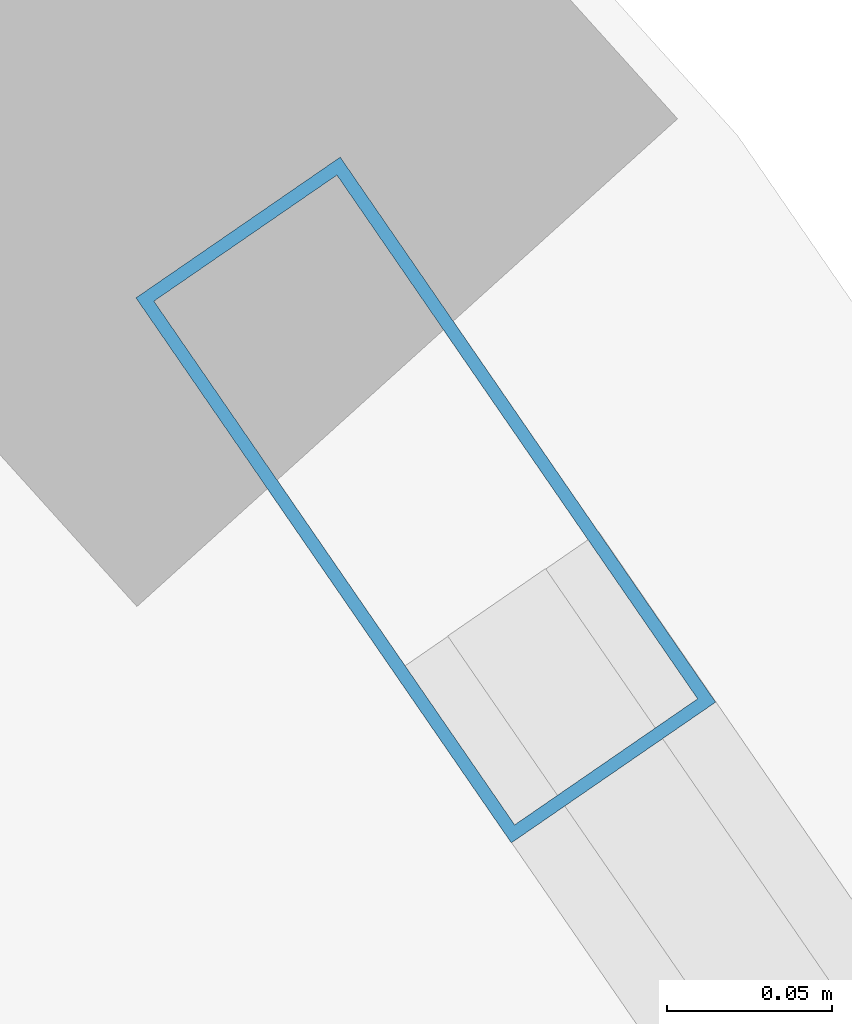
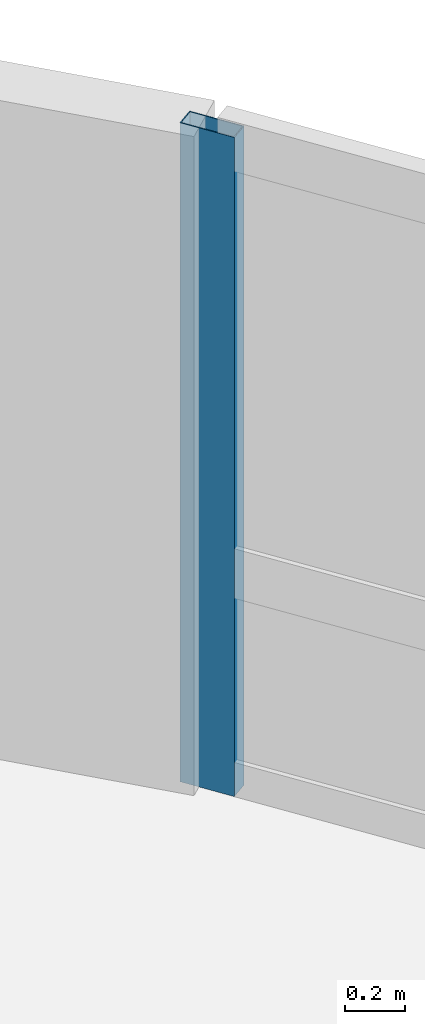
# One storey, part 15 of 23: 1 member, 1 element without a shape of its own.
"""IFC4 building model written with IfcOpenShell, lengths in metres."""

from ifc_helpers import new_model, si_unit, direction, frame, origin, origin_2d, place, context, subcontext, project, spatial, hollow_rectangle, extrude, material, layer, layer_set, material_profile, profile_set, type_object, element, aggregate, save


model = new_model("IFC4")

# Units and contexts
model_context = context("Model", 3, precision=1e-05, world=origin(), true_north=direction((0.0, 1.0)))
body_context = subcontext(model_context, "Body", "Model", "MODEL_VIEW")
ifc_project = project(units=[si_unit("LENGTHUNIT", "METRE"), si_unit("AREAUNIT", "SQUARE_METRE"), si_unit("VOLUMEUNIT", "CUBIC_METRE"), si_unit("PLANEANGLEUNIT", "RADIAN"), si_unit("MASSUNIT", "GRAM", prefix="KILO")], contexts=[model_context])

# Site, building, storey
site_placement = place(None, origin())
site = spatial("IfcSite", under=ifc_project, at=site_placement, CompositionType="ELEMENT")
building_placement = place(site_placement, origin())
building = spatial("IfcBuilding", under=site, at=building_placement, Name="Varnelok Gate Tower", CompositionType="ELEMENT")
storey_placement = place(building_placement, frame((0.0, 0.0, 287.800048828125)))
storey = spatial("IfcBuildingStorey", under=building, at=storey_placement, Name="L74", CompositionType="ELEMENT", Elevation=287.800048828125)

# Curtain wall, member
ifc_material = material(Name="Anodized Aluminum Alloy 6063-T6", Category="aluminium")
ifc_layer = layer(ifc_material, 0.179931640625)
ifc_layer_set = layer_set([ifc_layer], Name="Anodized Aluminum Alloy 6063-T6")
curtain_wall_type = type_object("IfcCurtainWallType", Name="CW6-CROWN-LOOKOUT", PredefinedType="USERDEFINED", material=ifc_layer_set)
curtain_wall_placement = place(storey_placement, origin())
curtain_wall = element("IfcCurtainWall", 1, at=curtain_wall_placement, inside=storey, type_object=curtain_wall_type, Name="L74 East End Vision Curtain Wall", ObjectType="STRUCTURAL GLAZING", PredefinedType="USERDEFINED")
ifc_material_profile = material_profile(ifc_material, hollow_rectangle(XDim=0.074951171875, YDim=0.199951171875, WallThickness=0.00390625, at=origin_2d()), Name="ALU200X75X4")
ifc_profile_set = profile_set([ifc_material_profile], Name="Anodized Aluminum Alloy 6063-T6")
member_type = type_object("IfcMemberType", Name="CW-MULL-200", PredefinedType="MULLION", material=ifc_profile_set)
member_placement = place(storey_placement, frame((57.515380859375, 56.8134765625, 0.0), z_axis=(0.0, 0.0, 1.0), x_axis=(0.823532290241, 0.567269395376, 0.0)))
member = element("IfcMember", 2, at=member_placement, type_object=member_type, Name="CW6 mullion 1", PredefinedType="MULLION", context=body_context, shape_type="SweptSolid", body=[
    extrude(hollow_rectangle(XDim=0.074951171875, YDim=0.199951171875, WallThickness=0.00390625, at=origin_2d()), origin(), (0.0, 0.0, 1.0), 2.659912109375),
])
aggregate(curtain_wall, [member])

save(model, "model.ifc")
